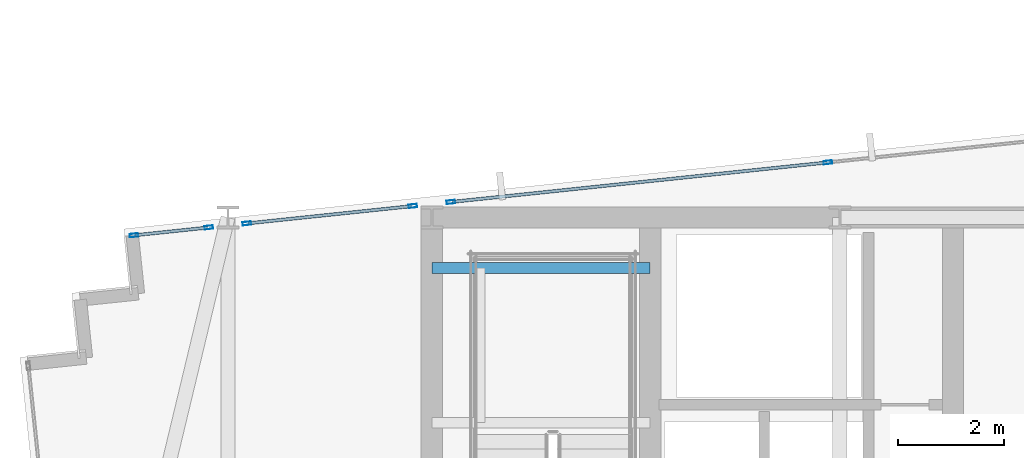
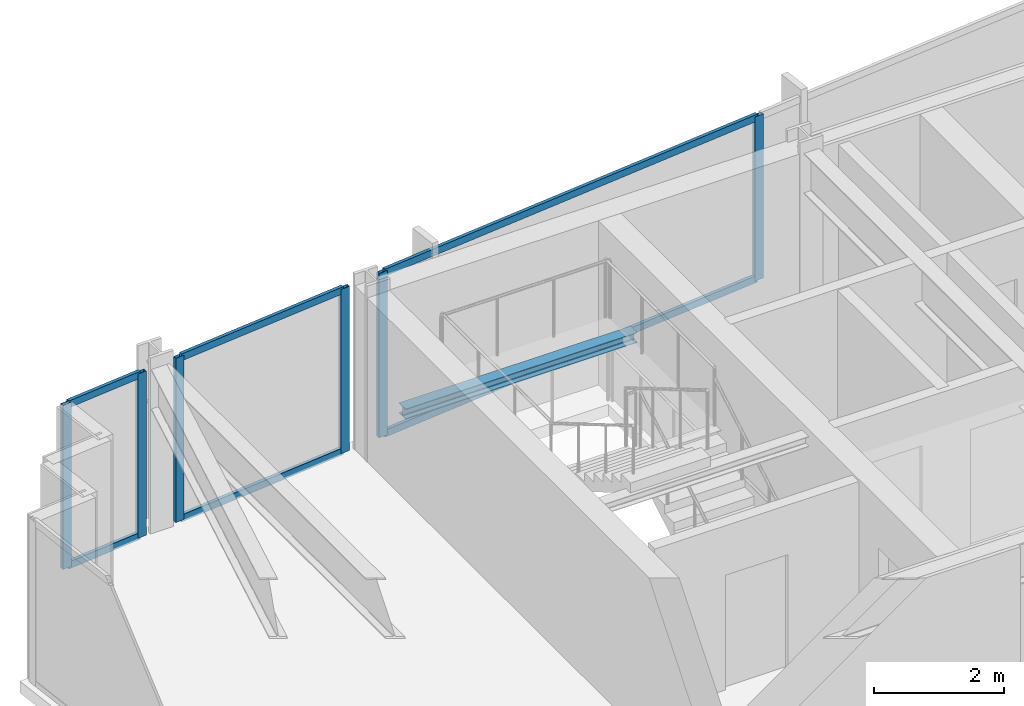
# One storey, part 20 of 32: 12 members, 1 beam, 3 elements without a shape of their own.
"""IFC4 building model written with IfcOpenShell, lengths in metres."""

from ifc_helpers import new_model, si_unit, direction, frame, origin, origin_2d, place, context, subcontext, project, spatial, hollow_rectangle, i_section, extrude, material, material_profile, profile_set, type_object, element, aggregate, save


model = new_model("IFC4")

# Units and contexts
model_context = context("Model", 3, precision=1e-05, world=origin(), true_north=direction((0.0, 1.0)))
body_context = subcontext(model_context, "Body", "Model", "MODEL_VIEW")
ifc_project = project(units=[si_unit("LENGTHUNIT", "METRE"), si_unit("AREAUNIT", "SQUARE_METRE"), si_unit("VOLUMEUNIT", "CUBIC_METRE"), si_unit("PLANEANGLEUNIT", "RADIAN"), si_unit("MASSUNIT", "GRAM", prefix="KILO")], contexts=[model_context])

# Site, building, storey
site_placement = place(None, origin())
site = spatial("IfcSite", under=ifc_project, at=site_placement, CompositionType="ELEMENT")
building_placement = place(site_placement, origin())
building = spatial("IfcBuilding", under=site, at=building_placement, Name="Yelkora Congress Tower", CompositionType="ELEMENT")
storey_placement = place(building_placement, frame((0.0, 0.0, 207.800048828125)))
storey = spatial("IfcBuildingStorey", under=building, at=storey_placement, Name="L57", CompositionType="ELEMENT", Elevation=207.800048828125)

# Beam
ifc_material_1 = material(Name="Steel S355J2", Category="steel")
ifc_material_profile_1 = material_profile(ifc_material_1, i_section(OverallWidth=0.199951171875, OverallDepth=0.18994140625, WebThickness=0.006591796875, FlangeThickness=0.010009765625, FilletRadius=0.01806640625, at=origin_2d()), Name="HEA 200")
ifc_profile_set_1 = profile_set([ifc_material_profile_1], Name="Steel S355J2")
beam_type = type_object("IfcBeamType", Name="BM-LAND-HEA200", PredefinedType="BEAM", material=ifc_profile_set_1)
beam_placement = place(storey_placement, frame((23.0400390625, 45.25, 1.33447265625), z_axis=(1.0, 0.0, 0.0), x_axis=(0.0, 1.0, 0.0)))
element("IfcBeam", 1, at=beam_placement, inside=storey, type_object=beam_type, Name="ST-01 L57 Landing Header Beam 1N", PredefinedType="BEAM", context=body_context, shape_type="SweptSolid", body=[
    extrude(i_section(OverallWidth=0.199951171875, OverallDepth=0.18994140625, WebThickness=0.006591796875, FlangeThickness=0.010009765625, FilletRadius=0.01806640625, at=origin_2d()), origin(), (0.0, 0.0, 1.0), 4.10986328125),
])

# Curtain wall, members
ifc_material_2 = material(Name="Anodised aluminium and insulated glass", Category="aluminium")
curtain_wall_type = type_object("IfcCurtainWallType", Name="CW-SYS-B4", PredefinedType="NOTDEFINED", material=ifc_material_2)
curtain_wall_1_placement = place(storey_placement, origin())
curtain_wall_1 = element("IfcCurtainWall", 2, at=curtain_wall_1_placement, inside=storey, type_object=curtain_wall_type, Name="L57 Unitised Curtain Wall 10 (1)", PredefinedType="NOTDEFINED")
ifc_material_3 = material(Name="Anodised aluminium 6063-T6", Category="aluminium")
ifc_material_profile_2 = material_profile(ifc_material_3, hollow_rectangle(XDim=0.06494140625, YDim=0.159912109375, WallThickness=0.00390625, at=origin_2d()), Name="ALU 65x160x4")
ifc_profile_set_2 = profile_set([ifc_material_profile_2], Name="Anodised aluminium 6063-T6")
member_type_1 = type_object("IfcMemberType", Name="MEM-ML-B4", PredefinedType="MULLION", material=ifc_profile_set_2)
member_1_placement = place(storey_placement, frame((17.431396484375, 45.865966796875, 0.0), z_axis=(0.0, 0.0, 1.0), x_axis=(-0.104509292244, 0.994523910137, 0.0)))
member_1 = element("IfcMember", 3, at=member_1_placement, type_object=member_type_1, Name="CW-B4 mullion 1", PredefinedType="MULLION", context=body_context, shape_type="SweptSolid", body=[
    extrude(hollow_rectangle(XDim=0.06494140625, YDim=0.159912109375, WallThickness=0.00390625, at=origin_2d()), origin(), (0.0, 0.0, 1.0), 3.079833984375),
])
member_2_placement = place(storey_placement, frame((18.841796875, 46.01416015625, 0.0), z_axis=(0.0, 0.0, 1.0), x_axis=(-0.104509292244, 0.994523910137, 0.0)))
member_2 = element("IfcMember", 4, at=member_2_placement, type_object=member_type_1, Name="CW-B4 mullion 2", PredefinedType="MULLION", context=body_context, shape_type="SweptSolid", body=[
    extrude(hollow_rectangle(XDim=0.06494140625, YDim=0.159912109375, WallThickness=0.00390625, at=origin_2d()), origin(), (0.0, 0.0, 1.0), 3.079833984375),
])

curtain_wall_2_placement = place(storey_placement, origin())
curtain_wall_2 = element("IfcCurtainWall", 5, at=curtain_wall_2_placement, inside=storey, type_object=curtain_wall_type, Name="L57 Unitised Curtain Wall 10 (2)", PredefinedType="NOTDEFINED")
member_3_placement = place(storey_placement, frame((19.558349609375, 46.089599609375, 0.0), z_axis=(0.0, 0.0, 1.0), x_axis=(-0.104506154437, 0.994524239868, 0.0)))
member_3 = element("IfcMember", 6, at=member_3_placement, type_object=member_type_1, Name="CW-B4 mullion 1", PredefinedType="MULLION", context=body_context, shape_type="SweptSolid", body=[
    extrude(hollow_rectangle(XDim=0.06494140625, YDim=0.159912109375, WallThickness=0.00390625, at=origin_2d()), origin(), (0.0, 0.0, 1.0), 3.079833984375),
])
member_4_placement = place(storey_placement, frame((22.681640625, 46.417724609375, 0.0), z_axis=(0.0, 0.0, 1.0), x_axis=(-0.104506154437, 0.994524239868, 0.0)))
member_4 = element("IfcMember", 7, at=member_4_placement, type_object=member_type_1, Name="CW-B4 mullion 2", PredefinedType="MULLION", context=body_context, shape_type="SweptSolid", body=[
    extrude(hollow_rectangle(XDim=0.06494140625, YDim=0.159912109375, WallThickness=0.00390625, at=origin_2d()), origin(), (0.0, 0.0, 1.0), 3.079833984375),
])

curtain_wall_3_placement = place(storey_placement, origin())
curtain_wall_3 = element("IfcCurtainWall", 8, at=curtain_wall_3_placement, inside=storey, type_object=curtain_wall_type, Name="L57 Unitised Curtain Wall 10 (3)", PredefinedType="NOTDEFINED")
member_5_placement = place(storey_placement, frame((23.3984375, 46.4931640625, 0.0), z_axis=(0.0, 0.0, 1.0), x_axis=(-0.104527724021, 0.994521973066, 0.0)))
member_5 = element("IfcMember", 9, at=member_5_placement, type_object=member_type_1, Name="CW-B4 mullion 1", PredefinedType="MULLION", context=body_context, shape_type="SweptSolid", body=[
    extrude(hollow_rectangle(XDim=0.06494140625, YDim=0.159912109375, WallThickness=0.00390625, at=origin_2d()), origin(), (0.0, 0.0, 1.0), 3.079833984375),
])
member_6_placement = place(storey_placement, frame((30.496826171875, 47.2392578125, 0.0), z_axis=(0.0, 0.0, 1.0), x_axis=(-0.104527724021, 0.994521973066, 0.0)))
member_6 = element("IfcMember", 10, at=member_6_placement, type_object=member_type_1, Name="CW-B4 mullion 2", PredefinedType="MULLION", context=body_context, shape_type="SweptSolid", body=[
    extrude(hollow_rectangle(XDim=0.06494140625, YDim=0.159912109375, WallThickness=0.00390625, at=origin_2d()), origin(), (0.0, 0.0, 1.0), 3.079833984375),
])

# Member
ifc_material_profile_3 = material_profile(ifc_material_3, hollow_rectangle(XDim=0.06005859375, YDim=0.1298828125, WallThickness=0.00390625, at=origin_2d()), Name="ALU 60x130x4")
ifc_profile_set_3 = profile_set([ifc_material_profile_3], Name="Anodised aluminium 6063-T6")
member_type_2 = type_object("IfcMemberType", Name="MEM-TR-B4", PredefinedType="USERDEFINED", material=ifc_profile_set_3)
member_7_placement = place(storey_placement, frame((17.463623046875, 45.869384765625, 0.030029296875), z_axis=(0.994528168538, 0.10446876081, 0.0), x_axis=(-0.10446876081, 0.994528168538, 0.0)))
member_7 = element("IfcMember", 11, at=member_7_placement, type_object=member_type_2, Name="CW-B4 transom 1.1", ObjectType="TRANSOM", PredefinedType="USERDEFINED", context=body_context, shape_type="SweptSolid", body=[
    extrude(hollow_rectangle(XDim=0.06005859375, YDim=0.1298828125, WallThickness=0.00390625, at=origin_2d()), origin(), (0.0, 0.0, 1.0), 1.35302734375),
])

member_8_placement = place(storey_placement, frame((17.463623046875, 45.869384765625, 3.050048828125), z_axis=(0.994528168538, 0.10446876081, 0.0), x_axis=(-0.10446876081, 0.994528168538, 0.0)))
member_8 = element("IfcMember", 12, at=member_8_placement, type_object=member_type_2, Name="CW-B4 transom 1.2", ObjectType="TRANSOM", PredefinedType="USERDEFINED", context=body_context, shape_type="SweptSolid", body=[
    extrude(hollow_rectangle(XDim=0.06005859375, YDim=0.1298828125, WallThickness=0.00390625, at=origin_2d()), origin(), (0.0, 0.0, 1.0), 1.35302734375),
])

aggregate(curtain_wall_1, [member_1, member_2, member_7, member_8])

member_9_placement = place(storey_placement, frame((19.590576171875, 46.093017578125, 0.030029296875), z_axis=(0.994528915126, 0.104461653149, 0.0), x_axis=(-0.104461653149, 0.994528915126, 0.0)))
member_9 = element("IfcMember", 13, at=member_9_placement, type_object=member_type_2, Name="CW-B4 transom 1.1", ObjectType="TRANSOM", PredefinedType="USERDEFINED", context=body_context, shape_type="SweptSolid", body=[
    extrude(hollow_rectangle(XDim=0.06005859375, YDim=0.1298828125, WallThickness=0.00390625, at=origin_2d()), origin(), (0.0, 0.0, 1.0), 3.07568359375),
])

member_10_placement = place(storey_placement, frame((19.590576171875, 46.093017578125, 3.050048828125), z_axis=(0.994528915126, 0.104461653149, 0.0), x_axis=(-0.104461653149, 0.994528915126, 0.0)))
member_10 = element("IfcMember", 14, at=member_10_placement, type_object=member_type_2, Name="CW-B4 transom 1.2", ObjectType="TRANSOM", PredefinedType="USERDEFINED", context=body_context, shape_type="SweptSolid", body=[
    extrude(hollow_rectangle(XDim=0.06005859375, YDim=0.1298828125, WallThickness=0.00390625, at=origin_2d()), origin(), (0.0, 0.0, 1.0), 3.07568359375),
])

aggregate(curtain_wall_2, [member_3, member_4, member_9, member_10])

member_11_placement = place(storey_placement, frame((23.4306640625, 46.49658203125, 0.030029296875), z_axis=(0.994522085625, 0.104526653081, 0.0), x_axis=(-0.104526653081, 0.994522085625, 0.0)))
member_11 = element("IfcMember", 15, at=member_11_placement, type_object=member_type_2, Name="CW-B4 transom 1.1", ObjectType="TRANSOM", PredefinedType="USERDEFINED", context=body_context, shape_type="SweptSolid", body=[
    extrude(hollow_rectangle(XDim=0.06005859375, YDim=0.1298828125, WallThickness=0.00390625, at=origin_2d()), origin(), (0.0, 0.0, 1.0), 7.072509765625),
])

member_12_placement = place(storey_placement, frame((23.4306640625, 46.49658203125, 3.050048828125), z_axis=(0.994522085625, 0.104526653081, 0.0), x_axis=(-0.104526653081, 0.994522085625, 0.0)))
member_12 = element("IfcMember", 16, at=member_12_placement, type_object=member_type_2, Name="CW-B4 transom 1.2", ObjectType="TRANSOM", PredefinedType="USERDEFINED", context=body_context, shape_type="SweptSolid", body=[
    extrude(hollow_rectangle(XDim=0.06005859375, YDim=0.1298828125, WallThickness=0.00390625, at=origin_2d()), origin(), (0.0, 0.0, 1.0), 7.072509765625),
])

aggregate(curtain_wall_3, [member_5, member_6, member_11, member_12])

save(model, "model.ifc")
